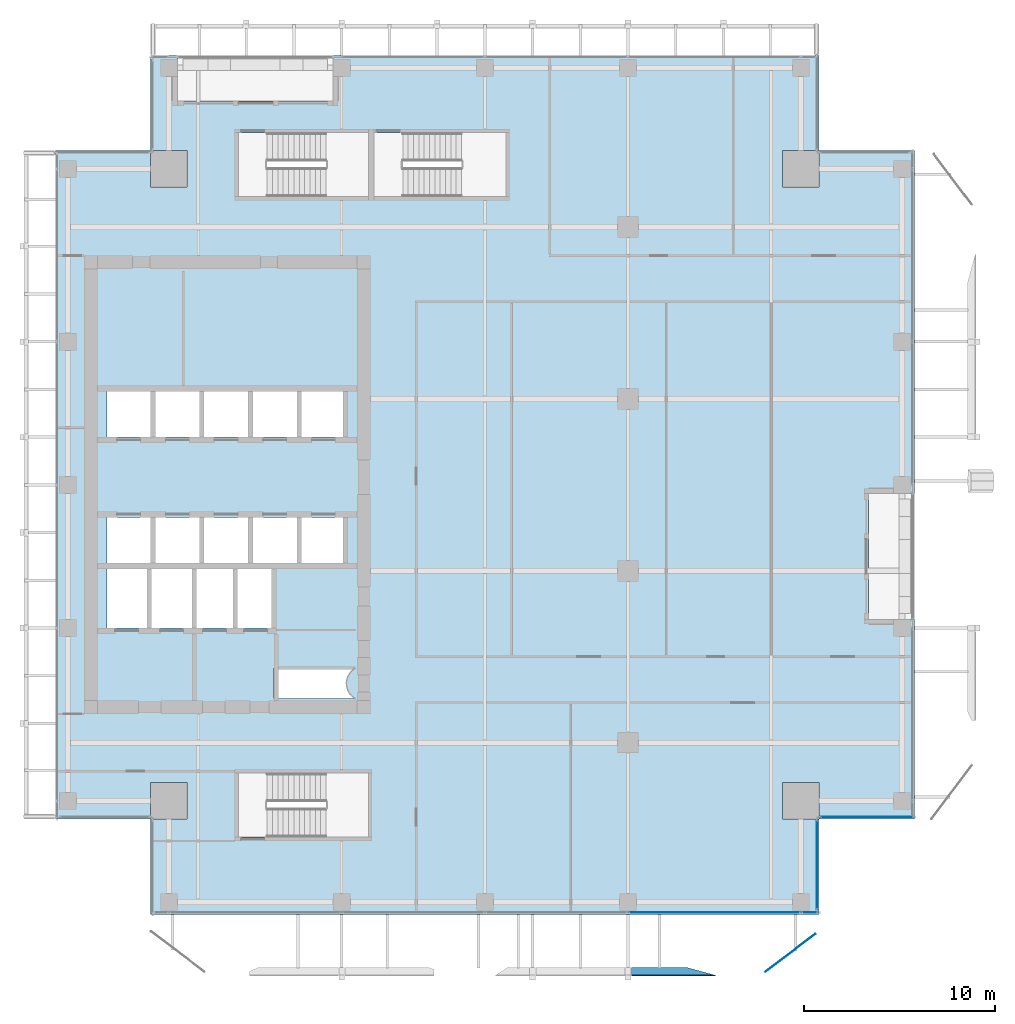
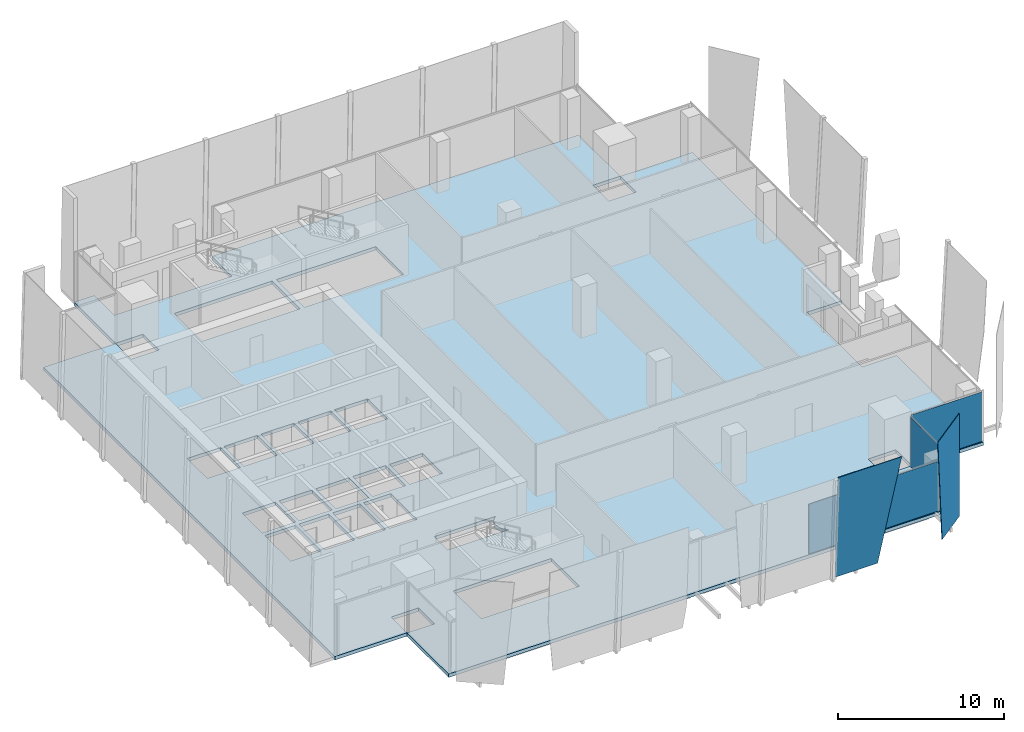
# One storey, part 24 of 35: 6 plates, 1 slab, 3 elements without a shape of their own.
"""IFC4 building model written with IfcOpenShell, lengths in metres."""

from ifc_helpers import new_model, si_unit, direction, frame, origin, origin_2d, place, context, subcontext, project, spatial, polyline, rectangle, outline, extrude, source, transform, mapped, material, layer, layer_set, type_object, element, aggregate, save


model = new_model("IFC4")

# Units and contexts
model_context = context("Model", 3, precision=1e-05, world=origin(), true_north=direction((0.0, 1.0)))
body_context = subcontext(model_context, "Body", "Model", "MODEL_VIEW")
ifc_project = project(units=[si_unit("LENGTHUNIT", "METRE"), si_unit("AREAUNIT", "SQUARE_METRE"), si_unit("VOLUMEUNIT", "CUBIC_METRE"), si_unit("PLANEANGLEUNIT", "RADIAN"), si_unit("MASSUNIT", "GRAM", prefix="KILO")], contexts=[model_context])

# Site, building, storey
site_placement = place(None, origin())
site = spatial("IfcSite", under=ifc_project, at=site_placement, CompositionType="ELEMENT")
building_placement = place(site_placement, origin())
building = spatial("IfcBuilding", under=site, at=building_placement, Name="Khomas Fold Tower", CompositionType="ELEMENT")
storey_placement = place(building_placement, frame((0.0, 0.0, 258.199951171875)))
storey = spatial("IfcBuildingStorey", under=building, at=storey_placement, Name="L58", CompositionType="ELEMENT", Elevation=258.199951171875)

# Plates
ifc_material_1 = material(Name="Clear laminated glass", Category="glass")
ifc_layer_1 = layer(ifc_material_1, 0.0400390625)
ifc_layer_set_1 = layer_set([ifc_layer_1], Name="Clear laminated glass")
plate_type_1 = type_object("IfcPlateType", Name="SK-Clear laminated glass leaf", PredefinedType="SHEET", material=ifc_layer_set_1)
plate_1_placement = place(storey_placement, frame((37.619384765625, 1.71337890625, 0.0), z_axis=(0.0, 0.998629046243, 0.052345276765), x_axis=(-1.0, 0.0, 0.0)))
element("IfcPlate", 1, at=plate_1_placement, inside=storey, type_object=plate_type_1, Name="OUTER SKIN glass L58 SG103-9", PredefinedType="SHEET", context=body_context, shape_type="SweptSolid", body=[
    extrude(outline(polyline([(0.0, 0.0), (2.949462890625, 0.0), (2.949462890625, 7.560413805835891), (-1.451904296875, 7.560413805835891), (0.0, 0.0)])), origin(), (0.0, 0.0, -1.0), 0.0400390625),
])
plate_2_placement = place(storey_placement, frame((42.208251953125, 1.864990234375, 0.0), z_axis=(0.603542329405, -0.797330957977, 8.213021e-06), x_axis=(-0.068967631187, -0.052195016538, 0.996252551363)))
element("IfcPlate", 2, at=plate_2_placement, inside=storey, type_object=plate_type_1, Name="OUTER SKIN glass L58 SG104-10", PredefinedType="SHEET", context=body_context, shape_type="SweptSolid", body=[
    extrude(outline(polyline([(0.0, 0.0), (7.5784486757959115, 0.0), (7.291582386339434, -3.3042536401557534), (-0.2301730215943822, -2.6512353506377684), (0.0, 0.0)])), origin(), (0.0, 0.0, -1.0), 0.0400390625),
])

# Slab
ifc_material_2 = material(Name="Concrete C40/50", Category="concrete")
ifc_layer_2 = layer(ifc_material_2, 0.25)
ifc_layer_set_2 = layer_set([ifc_layer_2], Name="Concrete C40/50")
slab_type = type_object("IfcSlabType", Name="RC floor slab 250", PredefinedType="FLOOR", material=ifc_layer_set_2)
shared_shape_1 = source(origin(), body_context, "Body", "SweptSolid", [
    extrude(outline(polyline([(4.5, 9.5), (9.4951171875, 9.5), (9.4951171875, 11.405029296875), (11.405029296875, 11.405029296875), (11.405029296875, 9.4951171875), (9.5, 9.4951171875), (9.5, 4.5), (44.5, 4.5), (44.5, 9.4951171875), (42.594970703125, 9.4951171875), (42.594970703125, 11.405029296875), (44.5048828125, 11.405029296875), (44.5048828125, 9.5), (49.5, 9.5), (49.5, 19.949951171875), (47.10009765625, 19.949951171875), (47.10009765625, 26.550048828125), (49.5, 26.550048828125), (49.5, 44.5), (44.5048828125, 44.5), (44.5048828125, 42.594970703125), (42.594970703125, 42.594970703125), (42.594970703125, 44.5048828125), (44.5, 44.5048828125), (44.5, 49.5), (19.050048828125, 49.5), (19.050048828125, 47.10009765625), (10.89990234375, 47.10009765625), (10.89990234375, 49.5), (9.5, 49.5), (9.5, 44.5048828125), (11.405029296875, 44.5048828125), (11.405029296875, 42.594970703125), (9.4951171875, 42.594970703125), (9.4951171875, 44.5), (4.5, 44.5), (4.5, 9.5)]), holes=[polyline([(7.199951171875, 19.5), (7.199951171875, 22.60009765625), (9.300048828125, 22.60009765625), (9.300048828125, 19.5), (7.199951171875, 19.5)]), polyline([(7.199951171875, 22.89990234375), (7.199951171875, 25.300048828125), (9.5, 25.300048828125), (9.5, 22.89990234375), (7.199951171875, 22.89990234375)]), polyline([(7.199951171875, 29.5), (7.199951171875, 31.89990234375), (9.5, 31.89990234375), (9.5, 29.5), (7.199951171875, 29.5)]), polyline([(9.550048828125, 19.5), (9.550048828125, 22.60009765625), (11.64990234375, 22.60009765625), (11.64990234375, 19.5), (9.550048828125, 19.5)]), polyline([(9.75, 22.89990234375), (9.75, 25.300048828125), (12.050048828125, 25.300048828125), (12.050048828125, 22.89990234375), (9.75, 22.89990234375)]), polyline([(9.75, 29.5), (9.75, 31.89990234375), (12.050048828125, 31.89990234375), (12.050048828125, 29.5), (9.75, 29.5)]), polyline([(11.89990234375, 19.5), (11.89990234375, 22.60009765625), (13.800048828125, 22.60009765625), (13.800048828125, 19.5), (11.89990234375, 19.5)]), polyline([(12.300048828125, 22.89990234375), (12.300048828125, 25.300048828125), (14.60009765625, 25.300048828125), (14.60009765625, 22.89990234375), (12.300048828125, 22.89990234375)]), polyline([(12.300048828125, 29.5), (12.300048828125, 31.89990234375), (14.60009765625, 31.89990234375), (14.60009765625, 29.5), (12.300048828125, 29.5)]), polyline([(14.050048828125, 19.5), (14.050048828125, 22.60009765625), (15.949951171875, 22.60009765625), (15.949951171875, 19.5), (14.050048828125, 19.5)]), polyline([(14.10009765625, 8.550048828125), (14.10009765625, 11.89990234375), (20.89990234375, 11.89990234375), (20.89990234375, 8.550048828125), (14.10009765625, 8.550048828125)]), polyline([(14.10009765625, 42.10009765625), (14.10009765625, 45.449951171875), (20.89990234375, 45.449951171875), (20.89990234375, 42.10009765625), (14.10009765625, 42.10009765625)]), polyline([(14.85009765625, 22.89990234375), (14.85009765625, 25.300048828125), (17.14990234375, 25.300048828125), (17.14990234375, 22.89990234375), (14.85009765625, 22.89990234375)]), polyline([(14.85009765625, 29.5), (14.85009765625, 31.89990234375), (17.14990234375, 31.89990234375), (17.14990234375, 29.5), (14.85009765625, 29.5)]), polyline([(15.949951171875, 15.800048828125), (15.949951171875, 17.39990234375), (20.199951171875, 17.39990234375), (20.199951171875, 17.37841796875), (20.14990234375, 17.348388671875), (20.0791015625, 17.295654296875), (20.013671875, 17.236328125), (19.954345703125, 17.1708984375), (19.901611328125, 17.10009765625), (19.856201171875, 17.0244140625), (19.818603515625, 16.9443359375), (19.788818359375, 16.861328125), (19.767333984375, 16.775634765625), (19.75439453125, 16.688232421875), (19.75, 16.60009765625), (19.75439453125, 16.51171875), (19.767333984375, 16.42431640625), (19.788818359375, 16.338623046875), (19.818603515625, 16.255615234375), (19.856201171875, 16.17578125), (19.901611328125, 16.10009765625), (19.954345703125, 16.029052734375), (20.013671875, 15.963623046875), (20.0791015625, 15.904296875), (20.14990234375, 15.851806640625), (20.199951171875, 15.82177734375), (20.199951171875, 15.800048828125), (15.949951171875, 15.800048828125)]), polyline([(17.39990234375, 22.89990234375), (17.39990234375, 25.300048828125), (19.699951171875, 25.300048828125), (19.699951171875, 22.89990234375), (17.39990234375, 22.89990234375)]), polyline([(17.39990234375, 29.5), (17.39990234375, 31.89990234375), (19.699951171875, 31.89990234375), (19.699951171875, 29.5), (17.39990234375, 29.5)]), polyline([(21.199951171875, 42.10009765625), (21.199951171875, 45.449951171875), (28.10009765625, 45.449951171875), (28.10009765625, 42.10009765625), (21.199951171875, 42.10009765625)])]), origin(), (0.0, 0.0, 1.0), 0.25),
])
slab_placement = place(storey_placement, frame((0.0, 0.0, -0.25)))
element("IfcSlab", 3, at=slab_placement, inside=storey, type_object=slab_type, Name="S-L58", PredefinedType="FLOOR", context=body_context, shape_type="MappedRepresentation", body=[
    mapped(shared_shape_1, transform((0.0, 0.0, 0.0))),
])

# Curtain wall, plates
ifc_material_3 = material(Name="Aluminium framed double glazing", Category="aluminium")
curtain_wall_type = type_object("IfcCurtainWallType", Name="SK-Unitised clear-glass wall, office floors CW2", PredefinedType="NOTDEFINED", material=ifc_material_3)
curtain_wall_1_placement = place(storey_placement, origin())
curtain_wall_1 = element("IfcCurtainWall", 4, at=curtain_wall_1_placement, inside=storey, type_object=curtain_wall_type, Name="CW2 run L58 00-0", PredefinedType="NOTDEFINED")
ifc_material_4 = material(Name="Clear double glazed unit")
ifc_layer_3 = layer(ifc_material_4, 0.030029296875)
ifc_layer_set_3 = layer_set([ifc_layer_3], Name="Clear double glazed unit")
plate_type_2 = type_object("IfcPlateType", Name="SK-Unitised clear-glass wall, office floors glass panel CW2-P", PredefinedType="CURTAIN_PANEL", material=ifc_layer_set_3)
shared_shape_2 = source(origin(), body_context, "Body", "SweptSolid", [
    extrude(rectangle(XDim=0.860107421875, YDim=0.030029296875, at=origin_2d()), origin(), (0.0, 0.0, 1.0), 3.639892578125),
])
plate_3_placement = place(storey_placement, frame((44.010009765625, 4.60009765625, 0.0), z_axis=(0.0, 0.0, 1.0), x_axis=(1.0, 0.0, 0.0)))
plate_3 = element("IfcPlate", 5, at=plate_3_placement, type_object=plate_type_2, Name="CW2 glass panel 6", PredefinedType="CURTAIN_PANEL", context=body_context, shape_type="MappedRepresentation", body=[
    mapped(shared_shape_2, transform((0.0, 0.0, 0.0))),
])
shared_shape_3 = source(origin(), body_context, "Body", "SweptSolid", [
    extrude(rectangle(XDim=8.989990234375, YDim=0.030029296875, at=origin_2d()), origin(), (0.0, 0.0, 1.0), 3.639892578125),
])
plate_4_placement = place(storey_placement, frame((39.02490234375, 4.60009765625, 0.0), z_axis=(0.0, 0.0, 1.0), x_axis=(1.0, 0.0, 0.0)))
plate_4 = element("IfcPlate", 6, at=plate_4_placement, type_object=plate_type_2, Name="CW2 glass panel 5", PredefinedType="CURTAIN_PANEL", context=body_context, shape_type="MappedRepresentation", body=[
    mapped(shared_shape_3, transform((0.0, 0.0, 0.0))),
])
aggregate(curtain_wall_1, [plate_4, plate_3])

# Curtain wall, plate
curtain_wall_2_placement = place(storey_placement, origin())
curtain_wall_2 = element("IfcCurtainWall", 7, at=curtain_wall_2_placement, inside=storey, type_object=curtain_wall_type, Name="CW2 corner return L58 01", PredefinedType="NOTDEFINED")
shared_shape_4 = source(origin(), body_context, "Body", "SweptSolid", [
    extrude(rectangle(XDim=4.679931640625, YDim=0.030029296875, at=origin_2d()), origin(), (0.0, 0.0, 1.0), 3.639892578125),
])
plate_5_placement = place(storey_placement, frame((44.39990234375, 7.10009765625, 0.0), z_axis=(0.0, 0.0, 1.0), x_axis=(0.0, 1.0, 0.0)))
plate_5 = element("IfcPlate", 8, at=plate_5_placement, type_object=plate_type_2, Name="CW2 glass panel 1", PredefinedType="CURTAIN_PANEL", context=body_context, shape_type="MappedRepresentation", body=[
    mapped(shared_shape_4, transform((0.0, 0.0, 0.0))),
])
aggregate(curtain_wall_2, [plate_5])

curtain_wall_3_placement = place(storey_placement, origin())
curtain_wall_3 = element("IfcCurtainWall", 9, at=curtain_wall_3_placement, inside=storey, type_object=curtain_wall_type, Name="CW2 corner return L58 02", PredefinedType="NOTDEFINED")
shared_shape_5 = source(origin(), body_context, "Body", "SweptSolid", [
    extrude(rectangle(XDim=4.8798828125, YDim=0.030029296875, at=origin_2d()), origin(), (0.0, 0.0, 1.0), 3.639892578125),
])
plate_6_placement = place(storey_placement, frame((47.0, 9.60009765625, 0.0), z_axis=(0.0, 0.0, 1.0), x_axis=(1.0, 0.0, 0.0)))
plate_6 = element("IfcPlate", 10, at=plate_6_placement, type_object=plate_type_2, Name="CW2 glass panel 1", PredefinedType="CURTAIN_PANEL", context=body_context, shape_type="MappedRepresentation", body=[
    mapped(shared_shape_5, transform((0.0, 0.0, 0.0))),
])
aggregate(curtain_wall_3, [plate_6])

save(model, "model.ifc")
